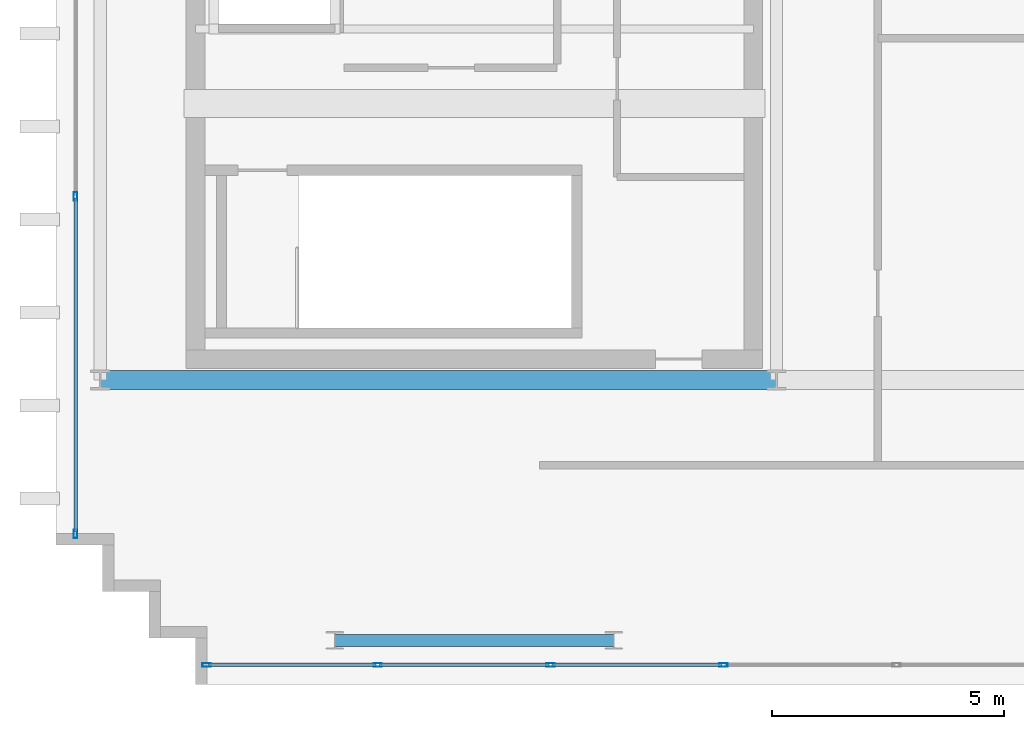
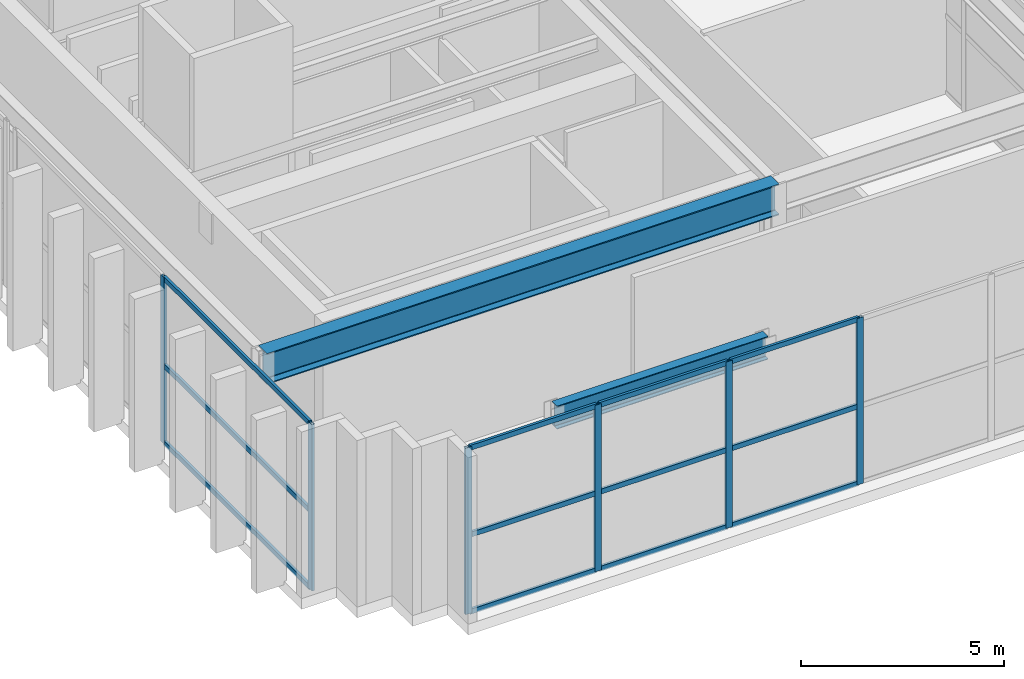
# One storey, part 2 of 14: 18 members, 2 beams, 2 elements without a shape of their own.
"""IFC4 building model written with IfcOpenShell, lengths in metres."""

from ifc_helpers import new_model, si_unit, direction, frame, origin, origin_2d, place, context, subcontext, project, spatial, hollow_rectangle, i_section, extrude, source, transform, mapped, material, layer, layer_set, material_profile, profile_set, type_object, element, aggregate, save


model = new_model("IFC4")

# Units and contexts
model_context = context("Model", 3, precision=1e-05, world=origin(), true_north=direction((0.0, 1.0)))
body_context = subcontext(model_context, "Body", "Model", "MODEL_VIEW")
ifc_project = project(units=[si_unit("LENGTHUNIT", "METRE"), si_unit("AREAUNIT", "SQUARE_METRE"), si_unit("VOLUMEUNIT", "CUBIC_METRE"), si_unit("PLANEANGLEUNIT", "RADIAN"), si_unit("MASSUNIT", "GRAM", prefix="KILO")], contexts=[model_context])

# Site, building, storey
site_placement = place(None, origin())
site = spatial("IfcSite", under=ifc_project, at=site_placement, CompositionType="ELEMENT")
building_placement = place(site_placement, origin())
building = spatial("IfcBuilding", under=site, at=building_placement, Name="Ocotamira Hotel", CompositionType="ELEMENT")
storey_placement = place(building_placement, frame((0.0, 0.0, 309.60009765625)))
storey = spatial("IfcBuildingStorey", under=building, at=storey_placement, Name="L79", CompositionType="ELEMENT", Elevation=309.60009765625)

# Beams
ifc_material_1 = material(Name="Steel ASTM A992 Grade 50", Category="steel")
ifc_material_profile_1 = material_profile(ifc_material_1, i_section(OverallWidth=0.41796875, OverallDepth=0.927001953125, WebThickness=0.019287109375, FlangeThickness=0.031982421875, FilletRadius=0.02392578125, at=origin_2d()), Name="W36X231")
ifc_profile_set_1 = profile_set([ifc_material_profile_1], Name="Steel ASTM A992 Grade 50")
beam_type_1 = type_object("IfcBeamType", Name="BM-GIRD-W36X231", PredefinedType="BEAM", material=ifc_profile_set_1)
shared_shape_1 = source(origin(), body_context, "Body", "SweptSolid", [
    extrude(i_section(OverallWidth=0.41796875, OverallDepth=0.927001953125, WebThickness=0.019287109375, FlangeThickness=0.031982421875, FilletRadius=0.02392578125, at=origin_2d()), origin(), (0.0, 0.0, 1.0), 14.550048828125),
])
beam_1_placement = place(storey_placement, frame((8.949951171875, 14.550048828125, 4.536376953125), z_axis=(1.0, 0.0, 0.0), x_axis=(0.0, 1.0, 0.0)))
element("IfcBeam", 1, at=beam_1_placement, inside=storey, type_object=beam_type_1, Name="L79 Girder Y14.55 X8.95-23.5", PredefinedType="BEAM", context=body_context, shape_type="MappedRepresentation", body=[
    mapped(shared_shape_1, transform((0.0, 0.0, 0.0), scale=1.0)),
])
ifc_material_profile_2 = material_profile(ifc_material_1, i_section(OverallWidth=0.256103515625, OverallDepth=0.693115234375, WebThickness=0.014404296875, FlangeThickness=0.023681640625, FilletRadius=0.01611328125, at=origin_2d()), Name="W27X114")
ifc_profile_set_2 = profile_set([ifc_material_profile_2], Name="Steel ASTM A992 Grade 50")
beam_type_2 = type_object("IfcBeamType", Name="BM-PRIM-W27X114", PredefinedType="BEAM", material=ifc_profile_set_2)
shared_shape_2 = source(origin(), body_context, "Body", "SweptSolid", [
    extrude(i_section(OverallWidth=0.256103515625, OverallDepth=0.693115234375, WebThickness=0.014404296875, FlangeThickness=0.023681640625, FilletRadius=0.01611328125, at=origin_2d()), origin(), (0.0, 0.0, 1.0), 6.0),
])
beam_2_placement = place(storey_placement, frame((14.0, 8.949951171875, 4.6533203125), z_axis=(1.0, 0.0, 0.0), x_axis=(0.0, 1.0, 0.0)))
element("IfcBeam", 2, at=beam_2_placement, inside=storey, type_object=beam_type_2, Name="L79 Girder Y8.95 X14-20", PredefinedType="BEAM", context=body_context, shape_type="MappedRepresentation", body=[
    mapped(shared_shape_2, transform((0.0, 0.0, 0.0), scale=1.0)),
])

# Curtain wall, members
ifc_material_2 = material(Name="Anodised pale-metal aluminium and solar glass", Category="aluminium")
ifc_layer = layer(ifc_material_2, 0.2099609375)
ifc_layer_set = layer_set([ifc_layer], Name="Anodised pale-metal aluminium and solar glass")
curtain_wall_type = type_object("IfcCurtainWallType", Name="CW-SYS7-PEAK", PredefinedType="NOTDEFINED", material=ifc_layer_set)
curtain_wall_1_placement = place(storey_placement, origin())
curtain_wall_1 = element("IfcCurtainWall", 3, at=curtain_wall_1_placement, inside=storey, type_object=curtain_wall_type, Name="L79 Curtain Wall CW-7 CW-L79-W1", PredefinedType="NOTDEFINED")
ifc_material_3 = material(Name="Anodised pale-metal aluminium 6063-T6", Category="aluminium")
ifc_material_profile_3 = material_profile(ifc_material_3, hollow_rectangle(XDim=0.074951171875, YDim=0.14990234375, WallThickness=0.006103515625, at=origin_2d()), Name="HSS150X75X6")
ifc_profile_set_3 = profile_set([ifc_material_profile_3], Name="Anodised pale-metal aluminium 6063-T6")
member_type_1 = type_object("IfcMemberType", Name="CWT-150X75", PredefinedType="USERDEFINED", material=ifc_profile_set_3)
shared_shape_3 = source(origin(), body_context, "Body", "SweptSolid", [
    extrude(hollow_rectangle(XDim=0.074951171875, YDim=0.14990234375, WallThickness=0.006103515625, at=origin_2d()), origin(), (0.0, 0.0, 1.0), 7.179931640625),
])
member_1_placement = place(storey_placement, frame((8.419921875, 11.280029296875, 0.037353515625), z_axis=(0.0, 1.0, 0.0), x_axis=(-1.0, 0.0, 0.0)))
member_1 = element("IfcMember", 4, at=member_1_placement, type_object=member_type_1, Name="CW-7 transom 1.1", ObjectType="TRANSOM", PredefinedType="USERDEFINED", context=body_context, shape_type="MappedRepresentation", body=[
    mapped(shared_shape_3, transform((0.0, 0.0, 0.0), scale=1.0)),
])
member_2_placement = place(storey_placement, frame((8.419921875, 11.280029296875, 2.349853515625), z_axis=(0.0, 1.0, 0.0), x_axis=(-1.0, 0.0, 0.0)))
member_2 = element("IfcMember", 5, at=member_2_placement, type_object=member_type_1, Name="CW-7 transom 1.2", ObjectType="TRANSOM", PredefinedType="USERDEFINED", context=body_context, shape_type="MappedRepresentation", body=[
    mapped(shared_shape_3, transform((0.0, 0.0, 0.0), scale=1.0)),
])
member_3_placement = place(storey_placement, frame((8.419921875, 11.280029296875, 4.96240234375), z_axis=(0.0, 1.0, 0.0), x_axis=(-1.0, 0.0, 0.0)))
member_3 = element("IfcMember", 6, at=member_3_placement, type_object=member_type_1, Name="CW-7 transom 1.3", ObjectType="TRANSOM", PredefinedType="USERDEFINED", context=body_context, shape_type="MappedRepresentation", body=[
    mapped(shared_shape_3, transform((0.0, 0.0, 0.0), scale=1.0)),
])

curtain_wall_2_placement = place(storey_placement, origin())
curtain_wall_2 = element("IfcCurtainWall", 7, at=curtain_wall_2_placement, inside=storey, type_object=curtain_wall_type, Name="L79 Curtain Wall CW-7 CW-L79-S1", PredefinedType="NOTDEFINED")
shared_shape_4 = source(origin(), body_context, "Body", "SweptSolid", [
    extrude(hollow_rectangle(XDim=0.074951171875, YDim=0.14990234375, WallThickness=0.006103515625, at=origin_2d()), origin(), (0.0, 0.0, 1.0), 3.599853515625),
])
member_4_placement = place(storey_placement, frame((11.280029296875, 8.419921875, 0.037353515625), z_axis=(1.0, 0.0, 0.0), x_axis=(0.0, 1.0, 0.0)))
member_4 = element("IfcMember", 8, at=member_4_placement, type_object=member_type_1, Name="CW-7 transom 1.1", ObjectType="TRANSOM", PredefinedType="USERDEFINED", context=body_context, shape_type="MappedRepresentation", body=[
    mapped(shared_shape_4, transform((0.0, 0.0, 0.0), scale=1.0)),
])
member_5_placement = place(storey_placement, frame((11.280029296875, 8.419921875, 2.349853515625), z_axis=(1.0, 0.0, 0.0), x_axis=(0.0, 1.0, 0.0)))
member_5 = element("IfcMember", 9, at=member_5_placement, type_object=member_type_1, Name="CW-7 transom 1.2", ObjectType="TRANSOM", PredefinedType="USERDEFINED", context=body_context, shape_type="MappedRepresentation", body=[
    mapped(shared_shape_4, transform((0.0, 0.0, 0.0), scale=1.0)),
])
member_6_placement = place(storey_placement, frame((11.280029296875, 8.419921875, 4.96240234375), z_axis=(1.0, 0.0, 0.0), x_axis=(0.0, 1.0, 0.0)))
member_6 = element("IfcMember", 10, at=member_6_placement, type_object=member_type_1, Name="CW-7 transom 1.3", ObjectType="TRANSOM", PredefinedType="USERDEFINED", context=body_context, shape_type="MappedRepresentation", body=[
    mapped(shared_shape_4, transform((0.0, 0.0, 0.0), scale=1.0)),
])
shared_shape_5 = source(origin(), body_context, "Body", "SweptSolid", [
    extrude(hollow_rectangle(XDim=0.074951171875, YDim=0.14990234375, WallThickness=0.006103515625, at=origin_2d()), origin(), (0.0, 0.0, 1.0), 3.64013671875),
])
member_7_placement = place(storey_placement, frame((14.9599609375, 8.419921875, 0.037353515625), z_axis=(1.0, 0.0, 0.0), x_axis=(0.0, 1.0, 0.0)))
member_7 = element("IfcMember", 11, at=member_7_placement, type_object=member_type_1, Name="CW-7 transom 2.1", ObjectType="TRANSOM", PredefinedType="USERDEFINED", context=body_context, shape_type="MappedRepresentation", body=[
    mapped(shared_shape_5, transform((0.0, 0.0, 0.0), scale=1.0)),
])
member_8_placement = place(storey_placement, frame((14.9599609375, 8.419921875, 2.349853515625), z_axis=(1.0, 0.0, 0.0), x_axis=(0.0, 1.0, 0.0)))
member_8 = element("IfcMember", 12, at=member_8_placement, type_object=member_type_1, Name="CW-7 transom 2.2", ObjectType="TRANSOM", PredefinedType="USERDEFINED", context=body_context, shape_type="MappedRepresentation", body=[
    mapped(shared_shape_5, transform((0.0, 0.0, 0.0), scale=1.0)),
])
member_9_placement = place(storey_placement, frame((14.9599609375, 8.419921875, 4.96240234375), z_axis=(1.0, 0.0, 0.0), x_axis=(0.0, 1.0, 0.0)))
member_9 = element("IfcMember", 13, at=member_9_placement, type_object=member_type_1, Name="CW-7 transom 2.3", ObjectType="TRANSOM", PredefinedType="USERDEFINED", context=body_context, shape_type="MappedRepresentation", body=[
    mapped(shared_shape_5, transform((0.0, 0.0, 0.0), scale=1.0)),
])
member_10_placement = place(storey_placement, frame((18.679931640625, 8.419921875, 0.037353515625), z_axis=(1.0, 0.0, 0.0), x_axis=(0.0, 1.0, 0.0)))
member_10 = element("IfcMember", 14, at=member_10_placement, type_object=member_type_1, Name="CW-7 transom 3.1", ObjectType="TRANSOM", PredefinedType="USERDEFINED", context=body_context, shape_type="MappedRepresentation", body=[
    mapped(shared_shape_5, transform((0.0, 0.0, 0.0), scale=1.0)),
])
member_11_placement = place(storey_placement, frame((18.679931640625, 8.419921875, 2.349853515625), z_axis=(1.0, 0.0, 0.0), x_axis=(0.0, 1.0, 0.0)))
member_11 = element("IfcMember", 15, at=member_11_placement, type_object=member_type_1, Name="CW-7 transom 3.2", ObjectType="TRANSOM", PredefinedType="USERDEFINED", context=body_context, shape_type="MappedRepresentation", body=[
    mapped(shared_shape_5, transform((0.0, 0.0, 0.0), scale=1.0)),
])
member_12_placement = place(storey_placement, frame((18.679931640625, 8.419921875, 4.96240234375), z_axis=(1.0, 0.0, 0.0), x_axis=(0.0, 1.0, 0.0)))
member_12 = element("IfcMember", 16, at=member_12_placement, type_object=member_type_1, Name="CW-7 transom 3.3", ObjectType="TRANSOM", PredefinedType="USERDEFINED", context=body_context, shape_type="MappedRepresentation", body=[
    mapped(shared_shape_5, transform((0.0, 0.0, 0.0), scale=1.0)),
])
ifc_material_profile_4 = material_profile(ifc_material_3, hollow_rectangle(XDim=0.080078125, YDim=0.179931640625, WallThickness=0.006103515625, at=origin_2d()), Name="HSS180X80X6")
ifc_profile_set_4 = profile_set([ifc_material_profile_4], Name="Anodised pale-metal aluminium 6063-T6")
member_type_2 = type_object("IfcMemberType", Name="CWM-180X75", PredefinedType="MULLION", material=ifc_profile_set_4)
shared_shape_6 = source(origin(), body_context, "Body", "SweptSolid", [
    extrude(hollow_rectangle(XDim=0.080078125, YDim=0.179931640625, WallThickness=0.006103515625, at=origin_2d()), origin(), (0.0, 0.0, 1.0), 5.0),
])
member_13_placement = place(storey_placement, frame((11.239990234375, 8.419921875, 0.0), z_axis=(0.0, 0.0, 1.0), x_axis=(0.0, 1.0, 0.0)))
member_13 = element("IfcMember", 17, at=member_13_placement, type_object=member_type_2, Name="CW-7 mullion 1", PredefinedType="MULLION", context=body_context, shape_type="MappedRepresentation", body=[
    mapped(shared_shape_6, transform((0.0, 0.0, 0.0), scale=1.0)),
])
member_14_placement = place(storey_placement, frame((14.919921875, 8.419921875, 0.0), z_axis=(0.0, 0.0, 1.0), x_axis=(0.0, 1.0, 0.0)))
member_14 = element("IfcMember", 18, at=member_14_placement, type_object=member_type_2, Name="CW-7 mullion 2", PredefinedType="MULLION", context=body_context, shape_type="MappedRepresentation", body=[
    mapped(shared_shape_6, transform((0.0, 0.0, 0.0), scale=1.0)),
])
member_15_placement = place(storey_placement, frame((18.639892578125, 8.419921875, 0.0), z_axis=(0.0, 0.0, 1.0), x_axis=(0.0, 1.0, 0.0)))
member_15 = element("IfcMember", 19, at=member_15_placement, type_object=member_type_2, Name="CW-7 mullion 3", PredefinedType="MULLION", context=body_context, shape_type="MappedRepresentation", body=[
    mapped(shared_shape_6, transform((0.0, 0.0, 0.0), scale=1.0)),
])
member_16_placement = place(storey_placement, frame((22.360107421875, 8.419921875, 0.0), z_axis=(0.0, 0.0, 1.0), x_axis=(0.0, 1.0, 0.0)))
member_16 = element("IfcMember", 20, at=member_16_placement, type_object=member_type_2, Name="CW-7 mullion 4", PredefinedType="MULLION", context=body_context, shape_type="MappedRepresentation", body=[
    mapped(shared_shape_6, transform((0.0, 0.0, 0.0), scale=1.0)),
])
aggregate(curtain_wall_2, [member_13, member_14, member_15, member_16, member_4, member_5, member_6, member_7, member_8, member_9, member_10, member_11, member_12])

# Member
member_17_placement = place(storey_placement, frame((8.419921875, 11.239990234375, 0.0), z_axis=(0.0, 0.0, 1.0), x_axis=(-1.0, 0.0, 0.0)))
member_17 = element("IfcMember", 21, at=member_17_placement, type_object=member_type_2, Name="CW-7 mullion 1", PredefinedType="MULLION", context=body_context, shape_type="MappedRepresentation", body=[
    mapped(shared_shape_6, transform((0.0, 0.0, 0.0), scale=1.0)),
])

member_18_placement = place(storey_placement, frame((8.419921875, 18.5, 0.0), z_axis=(0.0, 0.0, 1.0), x_axis=(-1.0, 0.0, 0.0)))
member_18 = element("IfcMember", 22, at=member_18_placement, type_object=member_type_2, Name="CW-7 mullion 2", PredefinedType="MULLION", context=body_context, shape_type="MappedRepresentation", body=[
    mapped(shared_shape_6, transform((0.0, 0.0, 0.0), scale=1.0)),
])

aggregate(curtain_wall_1, [member_17, member_18, member_1, member_2, member_3])

save(model, "model.ifc")
